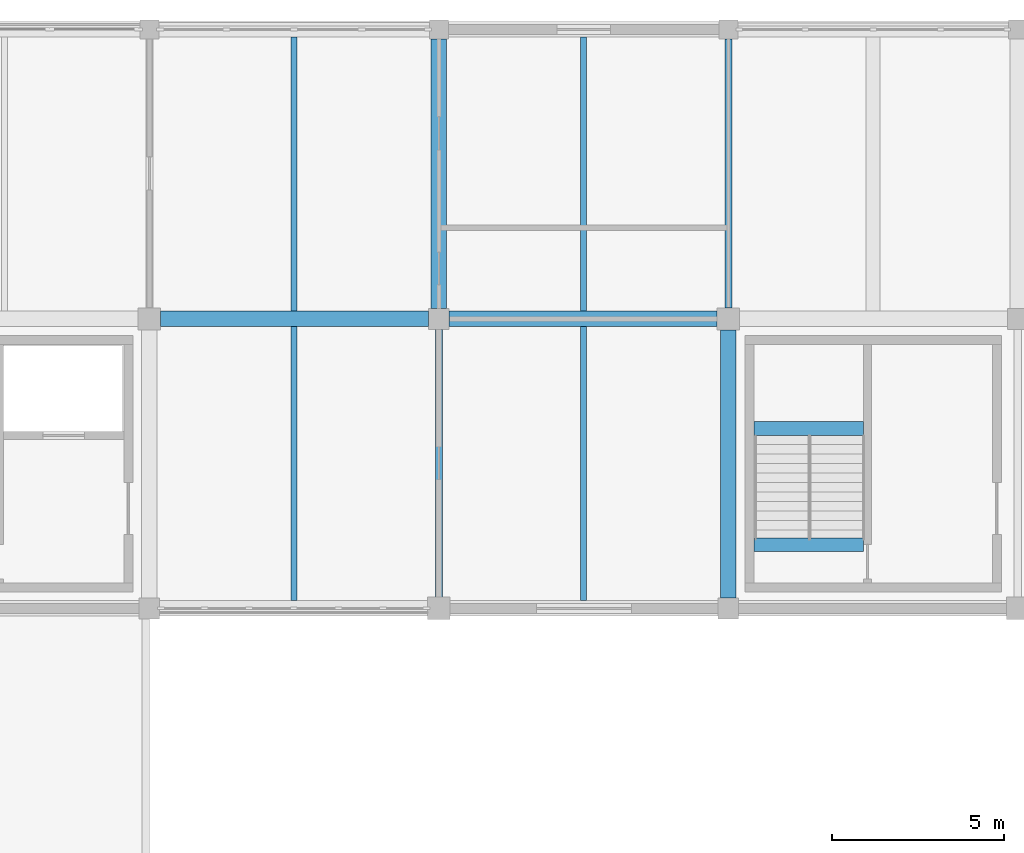
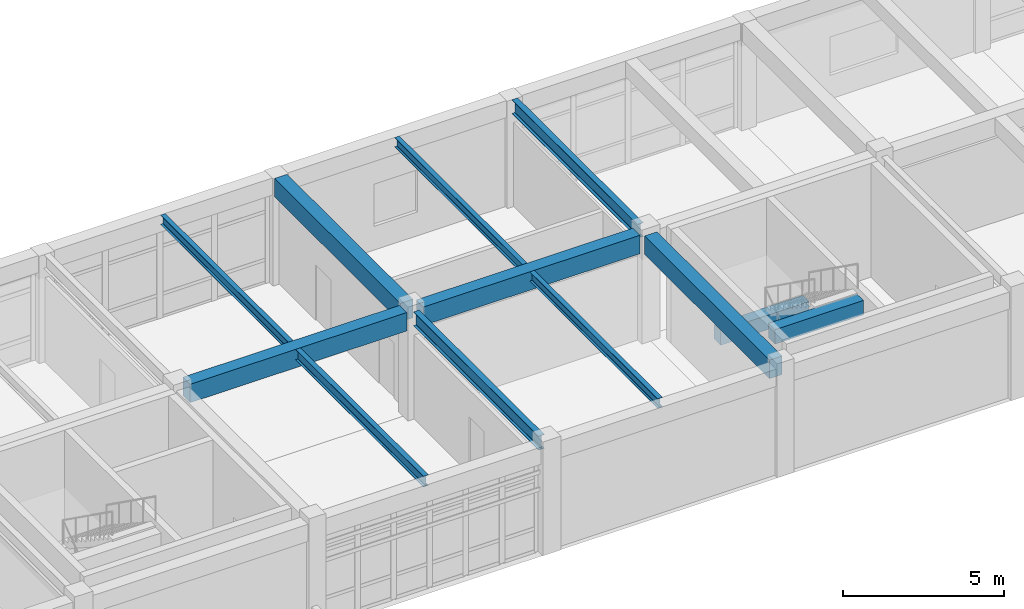
# One storey, part 4 of 18: 12 beams.
"""IFC4 building model written with IfcOpenShell, lengths in metres."""

from ifc_helpers import new_model, si_unit, direction, frame, origin, origin_2d, place, context, subcontext, project, spatial, rectangle, i_section, extrude, material, material_profile, profile_set, type_object, element, save


model = new_model("IFC4")

# Units and contexts
model_context = context("Model", 3, precision=1e-05, world=origin(), true_north=direction((0.0, 1.0)))
body_context = subcontext(model_context, "Body", "Model", "MODEL_VIEW")
ifc_project = project(units=[si_unit("LENGTHUNIT", "METRE"), si_unit("AREAUNIT", "SQUARE_METRE"), si_unit("VOLUMEUNIT", "CUBIC_METRE"), si_unit("PLANEANGLEUNIT", "RADIAN"), si_unit("MASSUNIT", "GRAM", prefix="KILO")], contexts=[model_context])

# Site, building, storey
site_placement = place(None, origin())
site = spatial("IfcSite", under=ifc_project, at=site_placement, CompositionType="ELEMENT")
building_placement = place(site_placement, origin())
building = spatial("IfcBuilding", under=site, at=building_placement, Name="Porcellanite Civic Hall", CompositionType="ELEMENT")
storey_placement = place(building_placement, frame((0.0, 0.0, 23.39990234375)))
storey = spatial("IfcBuildingStorey", under=building, at=storey_placement, Name="L05", CompositionType="ELEMENT", Elevation=23.39990234375)

# Beams
ifc_material_1 = material(Name="Concrete N50 (50 MPa)", Category="concrete")
ifc_material_profile_1 = material_profile(ifc_material_1, rectangle(XDim=0.39990234375, YDim=0.550048828125, at=origin_2d()), Name="RC-400x550")
ifc_profile_set_1 = profile_set([ifc_material_profile_1], Name="Concrete N50 (50 MPa)")
beam_type_1 = type_object("IfcBeamType", Name="BM-RC550", PredefinedType="JOIST", material=ifc_profile_set_1)
for number, where, z_axis, x_axis, name in (
    (1, (76.340576171875, 106.02490234375, 1.705078125), (1.0, 0.0, 0.0), (0.0, 1.0, 0.0), "Stair landing beam S9 L05"),
    (2, (76.340576171875, 102.64990234375, 3.795166015625), (1.0, 0.0, 0.0), (0.0, 1.0, 0.0), "Stair header beam S9 L05"),
):
    element("IfcBeam", number, at=place(storey_placement, frame(where, z_axis=z_axis, x_axis=x_axis)), inside=storey, type_object=beam_type_1, Name=name, PredefinedType="JOIST", context=body_context, shape_type="SweptSolid", body=[
        extrude(rectangle(XDim=0.39990234375, YDim=0.550048828125, at=origin_2d()), origin(), (0.0, 0.0, 1.0), 3.178955078125),
    ])
ifc_material_2 = material(Name="Concrete N50 (50 MPa)", Category="concrete")
ifc_material_profile_2 = material_profile(ifc_material_2, rectangle(XDim=0.449951171875, YDim=0.699951171875, at=origin_2d()), Name="RC-450x700")
ifc_profile_set_2 = profile_set([ifc_material_profile_2], Name="Concrete N50 (50 MPa)")
beam_type_2 = type_object("IfcBeamType", Name="BM-RC700", PredefinedType="BEAM", material=ifc_profile_set_2)
for number, where, z_axis, x_axis, name in (
    (3, (59.12451171875, 109.199951171875, 3.72021484375), (1.0, 0.0, 0.0), (0.0, 1.0, 0.0), "Beam X L05 8-14"),
    (4, (67.49951171875, 109.199951171875, 3.72021484375), (1.0, 0.0, 0.0), (0.0, 1.0, 0.0), "Beam X L05 9-14"),
):
    element("IfcBeam", number, at=place(storey_placement, frame(where, z_axis=z_axis, x_axis=x_axis)), inside=storey, type_object=beam_type_2, Name=name, PredefinedType="BEAM", context=body_context, shape_type="SweptSolid", body=[
        extrude(rectangle(XDim=0.449951171875, YDim=0.699951171875, at=origin_2d()), origin(), (0.0, 0.0, 1.0), 7.77587890625),
    ])
beam_1_placement = place(storey_placement, frame((67.199951171875, 109.49951171875, 3.72021484375), z_axis=(0.0, 1.0, 0.0), x_axis=(-1.0, 0.0, 0.0)))
element("IfcBeam", 5, at=beam_1_placement, inside=storey, type_object=beam_type_2, Name="Beam Y L05 9-14", PredefinedType="BEAM", context=body_context, shape_type="SweptSolid", body=[
    extrude(rectangle(XDim=0.449951171875, YDim=0.699951171875, at=origin_2d()), origin(), (0.0, 0.0, 1.0), 7.825927734375),
])
beam_2_placement = place(storey_placement, frame((75.60009765625, 101.099609375, 3.72021484375), z_axis=(0.0, 1.0, 0.0), x_axis=(-1.0, 0.0, 0.0)))
element("IfcBeam", 6, at=beam_2_placement, inside=storey, type_object=beam_type_2, Name="Beam Y L05 10-13", PredefinedType="BEAM", context=body_context, shape_type="SweptSolid", body=[
    extrude(rectangle(XDim=0.449951171875, YDim=0.699951171875, at=origin_2d()), origin(), (0.0, 0.0, 1.0), 7.77587890625),
])
ifc_material_3 = material(Name="Steel Grade 350", Category="steel")
ifc_material_profile_3 = material_profile(ifc_material_3, i_section(OverallWidth=0.1708984375, OverallDepth=0.35595703125, WebThickness=0.00732421875, FlangeThickness=0.011474609375, FilletRadius=0.011474609375, at=origin_2d()), Name="360UB50.7")
ifc_profile_set_3 = profile_set([ifc_material_profile_3], Name="Steel Grade 350")
beam_type_3 = type_object("IfcBeamType", Name="JST-360UB51", PredefinedType="JOIST", material=ifc_profile_set_3)
beam_3_placement = place(storey_placement, frame((71.39990234375, 109.424560546875, 3.89208984375), z_axis=(0.0, 1.0, 0.0), x_axis=(-1.0, 0.0, 0.0)))
element("IfcBeam", 7, at=beam_3_placement, inside=storey, type_object=beam_type_3, Name="Secondary joist L05 9-14", PredefinedType="JOIST", context=body_context, shape_type="SweptSolid", body=[
    extrude(i_section(OverallWidth=0.1708984375, OverallDepth=0.35595703125, WebThickness=0.00732421875, FlangeThickness=0.011474609375, FilletRadius=0.011474609375, at=origin_2d()), origin(), (0.0, 0.0, 1.0), 7.950927734375),
])
ifc_material_4 = material(Name="Steel Grade 350", Category="steel")
ifc_material_profile_4 = material_profile(ifc_material_4, i_section(OverallWidth=0.172119140625, OverallDepth=0.35888671875, WebThickness=0.008056640625, FlangeThickness=0.012939453125, FilletRadius=0.011474609375, at=origin_2d()), Name="360UB56.7")
ifc_profile_set_4 = profile_set([ifc_material_profile_4], Name="Steel Grade 350")
beam_type_4 = type_object("IfcBeamType", Name="JST-360UB57", PredefinedType="JOIST", material=ifc_profile_set_4)
beam_4_placement = place(storey_placement, frame((63.0, 109.424560546875, 3.890625), z_axis=(0.0, 1.0, 0.0), x_axis=(-1.0, 0.0, 0.0)))
element("IfcBeam", 8, at=beam_4_placement, inside=storey, type_object=beam_type_4, Name="Secondary joist L05 8-14", PredefinedType="JOIST", context=body_context, shape_type="SweptSolid", body=[
    extrude(i_section(OverallWidth=0.172119140625, OverallDepth=0.35888671875, WebThickness=0.008056640625, FlangeThickness=0.012939453125, FilletRadius=0.011474609375, at=origin_2d()), origin(), (0.0, 0.0, 1.0), 7.950927734375),
])
beam_5_placement = place(storey_placement, frame((71.39990234375, 101.0244140625, 3.890625), z_axis=(0.0, 1.0, 0.0), x_axis=(-1.0, 0.0, 0.0)))
element("IfcBeam", 9, at=beam_5_placement, inside=storey, type_object=beam_type_4, Name="Secondary joist L05 9-13", PredefinedType="JOIST", context=body_context, shape_type="SweptSolid", body=[
    extrude(i_section(OverallWidth=0.172119140625, OverallDepth=0.35888671875, WebThickness=0.008056640625, FlangeThickness=0.012939453125, FilletRadius=0.011474609375, at=origin_2d()), origin(), (0.0, 0.0, 1.0), 7.951171875),
])
ifc_material_5 = material(Name="Steel Grade 350", Category="steel")
ifc_material_profile_5 = material_profile(ifc_material_5, i_section(OverallWidth=0.177978515625, OverallDepth=0.403076171875, WebThickness=0.007568359375, FlangeThickness=0.010986328125, FilletRadius=0.011474609375, at=origin_2d()), Name="410UB53.7")
ifc_profile_set_5 = profile_set([ifc_material_profile_5], Name="Steel Grade 350")
beam_type_5 = type_object("IfcBeamType", Name="JST-410UB54", PredefinedType="JOIST", material=ifc_profile_set_5)
beam_6_placement = place(storey_placement, frame((63.0, 101.0244140625, 3.86865234375), z_axis=(0.0, 1.0, 0.0), x_axis=(-1.0, 0.0, 0.0)))
element("IfcBeam", 10, at=beam_6_placement, inside=storey, type_object=beam_type_5, Name="Secondary joist L05 8-13", PredefinedType="JOIST", context=body_context, shape_type="SweptSolid", body=[
    extrude(i_section(OverallWidth=0.177978515625, OverallDepth=0.403076171875, WebThickness=0.007568359375, FlangeThickness=0.010986328125, FilletRadius=0.011474609375, at=origin_2d()), origin(), (0.0, 0.0, 1.0), 7.951171875),
])
ifc_material_6 = material(Name="Steel Grade 350", Category="steel")
ifc_material_profile_6 = material_profile(ifc_material_6, i_section(OverallWidth=0.208984375, OverallDepth=0.528076171875, WebThickness=0.009521484375, FlangeThickness=0.01318359375, FilletRadius=0.013916015625, at=origin_2d()), Name="530UB82.0")
ifc_profile_set_6 = profile_set([ifc_material_profile_6], Name="Steel Grade 350")
beam_type_6 = type_object("IfcBeamType", Name="RAF-530UB82", PredefinedType="BEAM", material=ifc_profile_set_6)
beam_7_placement = place(storey_placement, frame((67.199951171875, 101.12451171875, 3.80615234375), z_axis=(0.0, 1.0, 0.0), x_axis=(-1.0, 0.0, 0.0)))
element("IfcBeam", 11, at=beam_7_placement, inside=storey, type_object=beam_type_6, Name="Beam Y L05 9-13", PredefinedType="BEAM", context=body_context, shape_type="SweptSolid", body=[
    extrude(i_section(OverallWidth=0.208984375, OverallDepth=0.528076171875, WebThickness=0.009521484375, FlangeThickness=0.01318359375, FilletRadius=0.013916015625, at=origin_2d()), origin(), (0.0, 0.0, 1.0), 7.77587890625),
])
beam_8_placement = place(storey_placement, frame((75.60009765625, 109.5244140625, 3.80615234375), z_axis=(0.0, 1.0, 0.0), x_axis=(-1.0, 0.0, 0.0)))
element("IfcBeam", 12, at=beam_8_placement, inside=storey, type_object=beam_type_6, Name="Beam Y L05 10-14", PredefinedType="BEAM", context=body_context, shape_type="SweptSolid", body=[
    extrude(i_section(OverallWidth=0.208984375, OverallDepth=0.528076171875, WebThickness=0.009521484375, FlangeThickness=0.01318359375, FilletRadius=0.013916015625, at=origin_2d()), origin(), (0.0, 0.0, 1.0), 7.801025390625),
])

save(model, "model.ifc")
